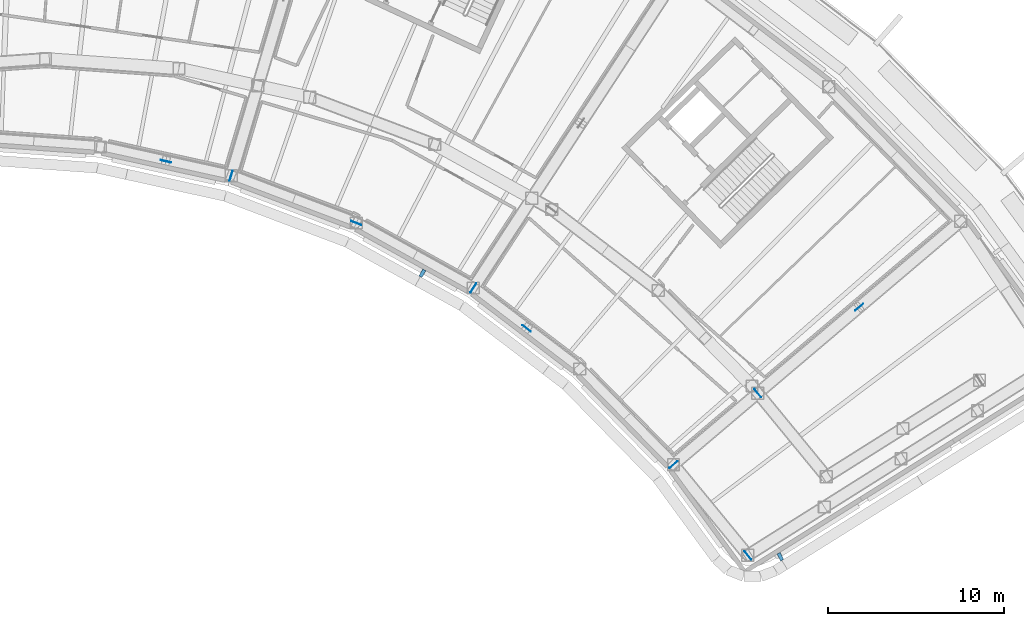
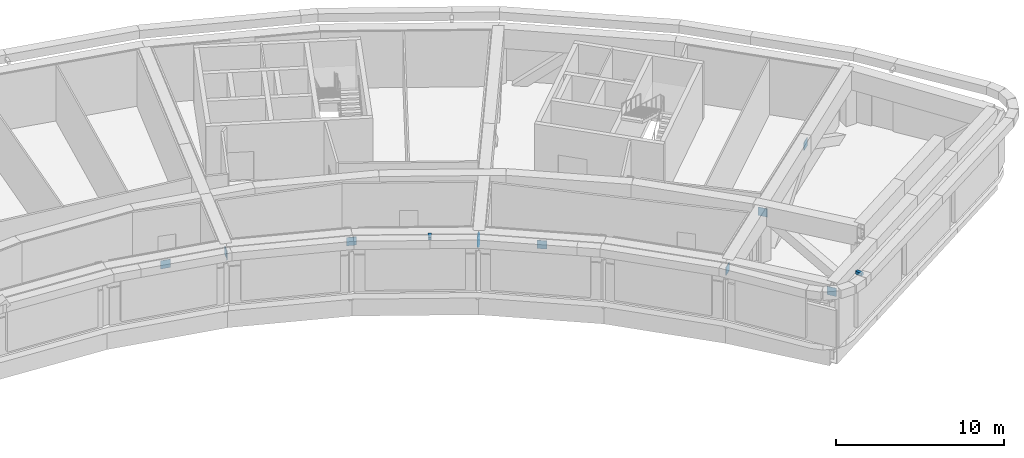
# One storey, part 18 of 25: 11 discrete accessories.
"""IFC4 building model written with IfcOpenShell, lengths in metres."""

import ifcopenshell
import ifcopenshell.guid

model = None  # the IFC model being written
_history = None  # IfcOwnerHistory: only IFC2X3 demands one
_inside = {}  # id of a spatial element -> (the spatial element, [elements in it])
_under = {}  # id of a project, library or spatial element -> (it, [spatial elements below it])
_declared = {}  # id of a project -> (the project, [libraries it declares])
_typed = {}  # id of a type object -> (the type object, [elements of that type])
_made_of = {}  # id of a material, layer set ... -> (it, [elements and type objects made of it])


def new_model(schema):
    """Start an empty IFC model of exactly this schema.

    Asked for "IFC4X3", IfcOpenShell would pick the latest addendum, in which some entities
    have other attributes; the version numbers below select the first issue.
    IFC2X3 requires an IfcOwnerHistory on every rooted entity: one is made here for all.
    """
    global model, _history
    if schema == "IFC4X3":
        model = ifcopenshell.file(schema_version=(4, 3, 0, 0))
    else:
        model = ifcopenshell.file(schema=schema)
    _inside.clear()
    _under.clear()
    _declared.clear()
    _typed.clear()
    _made_of.clear()
    _history = None
    if model.schema == "IFC2X3":
        org = make("IfcOrganization", Name="unknown")
        user = make(
            "IfcPersonAndOrganization",
            ThePerson=make("IfcPerson", FamilyName="unknown"),
            TheOrganization=org,
        )
        app = make(
            "IfcApplication",
            ApplicationDeveloper=org,
            Version="unknown",
            ApplicationFullName="unknown",
            ApplicationIdentifier="unknown",
        )
        _history = make(
            "IfcOwnerHistory",
            OwningUser=user,
            OwningApplication=app,
            ChangeAction="ADDED",
            CreationDate=0,
        )
    return model


def make(cls, **values):
    """One entity of the class cls with the attributes given. An attribute that is None is left unset."""
    return model.create_entity(
        cls, **{name: value for name, value in values.items() if value is not None}
    )


def rooted(cls, **values):
    """An entity with a GlobalId (a new one), such as an element, a storey or a relation."""
    return make(cls, GlobalId=ifcopenshell.guid.new(), OwnerHistory=_history, **values)


def si_unit(unit_type, name, prefix=None):
    """IfcSIUnit, for example si_unit("LENGTHUNIT", "METRE", prefix="MILLI")."""
    return make("IfcSIUnit", UnitType=unit_type, Prefix=prefix, Name=name)


def assignment(units):
    """IfcUnitAssignment: the units of a project."""
    return None if units is None else make("IfcUnitAssignment", Units=units)


def point(xyz):
    """IfcCartesianPoint."""
    return None if xyz is None else make("IfcCartesianPoint", Coordinates=xyz)


def direction(xyz):
    """IfcDirection."""
    return None if xyz is None else make("IfcDirection", DirectionRatios=xyz)


def frame(location, z_axis=None, x_axis=None):
    """IfcAxis2Placement3D, a coordinate frame: its origin and axes. An axis left out is left unset."""
    return make(
        "IfcAxis2Placement3D",
        Location=point(location),
        Axis=direction(z_axis),
        RefDirection=direction(x_axis),
    )


def frame_2d(location, x_axis=None):
    """IfcAxis2Placement2D, a coordinate frame in the plane: its origin and x axis."""
    return make(
        "IfcAxis2Placement2D", Location=point(location), RefDirection=direction(x_axis)
    )


def origin():
    """The frame at (0, 0, 0) with its axes left unset."""
    return frame((0.0, 0.0, 0.0))


def origin_2d():
    """The frame at (0, 0) in the plane with its x axis left unset."""
    return frame_2d((0.0, 0.0))


def place(relative_to, where):
    """IfcLocalPlacement: puts the frame where relative to a parent placement (None: the world)."""
    return make(
        "IfcLocalPlacement", PlacementRelTo=relative_to, RelativePlacement=where
    )


def context(
    kind, dimensions, precision=None, world=None, true_north=None, identifier=None
):
    """IfcGeometricRepresentationContext, for example the 3D "Model" context."""
    return make(
        "IfcGeometricRepresentationContext",
        ContextIdentifier=identifier,
        ContextType=kind,
        CoordinateSpaceDimension=dimensions,
        Precision=precision,
        WorldCoordinateSystem=world,
        TrueNorth=true_north,
    )


def subcontext(parent, identifier, kind, view, scale=None):
    """IfcGeometricRepresentationSubContext, for example "Body" below "Model"."""
    return make(
        "IfcGeometricRepresentationSubContext",
        ContextIdentifier=identifier,
        ContextType=kind,
        ParentContext=parent,
        TargetScale=scale,
        TargetView=view,
    )


def project(units=None, contexts=None):
    """IfcProject with its units and contexts."""
    return rooted(
        "IfcProject",
        Name="project",
        RepresentationContexts=contexts,
        UnitsInContext=assignment(units),
    )


def spatial(cls, under=None, at=None, **own):
    """A site, building, storey or space (cls), placed at a placement, below another one or the project."""
    s = rooted(cls, ObjectPlacement=at, **own)
    if under is not None:
        _under.setdefault(under.id(), (under, []))[1].append(s)
    return s


def profile(cls, at=None, kind="AREA", **sizes):
    """A parametric profile (cls). Its sizes go by their IFC names, for example OverallWidth=200.0."""
    return make(cls, ProfileType=kind, Position=at, **sizes)


def rectangle(**sizes):
    """IfcRectangleProfileDef."""
    return profile("IfcRectangleProfileDef", **sizes)


def extrude(swept, where, along, depth):
    """IfcExtrudedAreaSolid: the profile swept, set in the frame where, extruded along a direction by depth."""
    return make(
        "IfcExtrudedAreaSolid",
        SweptArea=swept,
        Position=where,
        ExtrudedDirection=direction(along),
        Depth=depth,
    )


def shape(context_of_items, identifier, shape_type, items):
    """IfcShapeRepresentation: the items that make up one representation, for example the "Body"."""
    return make(
        "IfcShapeRepresentation",
        ContextOfItems=context_of_items,
        RepresentationIdentifier=identifier,
        RepresentationType=shape_type,
        Items=items,
    )


def material(Name=None, Category=None):
    """IfcMaterial."""
    return make("IfcMaterial", Name=Name, Category=Category)


def made_of(thing, what):
    """Note that an element or type object is made of a material, layer set ...; save() writes the relation."""
    if what is not None:
        _made_of.setdefault(what.id(), (what, []))[1].append(thing)
    return thing


def type_object(cls, material=None, **own):
    """A type object (cls), such as IfcWallType, which elements share."""
    return made_of(rooted(cls, **own), material)


def element(
    cls,
    number,
    at=None,
    inside=None,
    cuts=None,
    type_object=None,
    material=None,
    context=None,
    identifier="Body",
    shape_type=None,
    held_by="IfcProductDefinitionShape",
    body=None,
    shapes=None,
    **own,
):
    """One element of the class cls, such as IfcWall. Its Tag is "e" and its number.

    at: its placement. inside: the storey or other place that contains it. cuts: it is an
    opening in that element (IfcRelVoidsElement). A single representation is given by context,
    identifier, shape_type and body (its items); several are given by shapes. held_by: the class
    of the entity that holds the representations. save() writes the other relations.
    """
    e = rooted(cls, Tag="e%d" % number, ObjectPlacement=at, **own)
    if body is not None:
        shapes = [shape(context, identifier, shape_type, body)]
    if shapes is not None:
        e.Representation = make(held_by, Representations=shapes)
    if inside is not None:
        _inside.setdefault(inside.id(), (inside, []))[1].append(e)
    if cuts is not None:
        rooted(
            "IfcRelVoidsElement", RelatingBuildingElement=cuts, RelatedOpeningElement=e
        )
    if type_object is not None:
        _typed.setdefault(type_object.id(), (type_object, []))[1].append(e)
    return made_of(e, material)


def aggregate(whole, parts):
    """IfcRelAggregates: a whole, such as a stair, and the parts it consists of."""
    return rooted("IfcRelAggregates", RelatingObject=whole, RelatedObjects=parts)


def save(model, path):
    """Write the relations noted so far, then the file.

    IfcRelAggregates (storeys below a building ...), IfcRelContainedInSpatialStructure (elements
    in a storey), IfcRelDefinesByType, IfcRelAssociatesMaterial and IfcRelDeclares: one each for
    every whole, place, type object, material and project.
    """
    for whole, parts in _under.values():
        aggregate(whole, parts)
    for where, things in _inside.values():
        rooted(
            "IfcRelContainedInSpatialStructure",
            RelatedElements=things,
            RelatingStructure=where,
        )
    for kind, things in _typed.values():
        rooted("IfcRelDefinesByType", RelatedObjects=things, RelatingType=kind)
    for what, things in _made_of.values():
        rooted("IfcRelAssociatesMaterial", RelatedObjects=things, RelatingMaterial=what)
    for by, libraries in _declared.values():
        rooted("IfcRelDeclares", RelatingContext=by, RelatedDefinitions=libraries)
    model.write(path)


model = new_model("IFC4")

# Units and contexts
model_context = context("Model", 3, precision=1e-05, world=origin(), true_north=direction((0.0, 1.0)))
body_context = subcontext(model_context, "Body", "Model", "MODEL_VIEW")
ifc_project = project(units=[si_unit("LENGTHUNIT", "METRE"), si_unit("AREAUNIT", "SQUARE_METRE"), si_unit("VOLUMEUNIT", "CUBIC_METRE"), si_unit("PLANEANGLEUNIT", "RADIAN"), si_unit("MASSUNIT", "GRAM", prefix="KILO")], contexts=[model_context])

# Site, building, storey
site_placement = place(None, origin())
site = spatial("IfcSite", under=ifc_project, at=site_placement, CompositionType="ELEMENT")
building_placement = place(site_placement, origin())
building = spatial("IfcBuilding", under=site, at=building_placement, Name="Tuul Gate Civic Tower", CompositionType="ELEMENT")
storey_placement = place(building_placement, frame((0.0, 0.0, 133.699951171875)))
storey = spatial("IfcBuildingStorey", under=building, at=storey_placement, Name="Plant and refuge floor 4", CompositionType="ELEMENT", Elevation=133.699951171875)

# Discrete accessories
ifc_material_1 = material(Name="Steel S355", Category="steel")
discrete_accessory_type_1 = type_object("IfcDiscreteAccessoryType", Name="Gusset plate", PredefinedType="BRACKET", material=ifc_material_1)
for number, where, z_axis, x_axis, name in (
    (1, (55.9921875, -21.76123046875, 3.1025390625), (0.0, 0.0, 1.0), (0.76282474496, 0.646605295738, 0.0), "Gusset plate"),
    (2, (45.45458984375, -30.695556640625, 3.103271484375), (0.0, 0.0, 1.0), (0.76282474496, 0.646605295738, 0.0), "Gusset plate"),
    (3, (20.35791015625, -14.308349609375, 3.103515625), (0.0, 0.0, 1.0), (0.285212112775, 0.958464423297, 0.0), "Gusset plate"),
    (4, (34.101318359375, -20.674560546875, 3.103515625), (0.0, 0.0, 1.0), (0.546710516181, 0.837321689375, 0.0), "Gusset plate"),
    (5, (16.653076171875, -13.489990234375, 3.103759765625), (0.0, 0.0, 1.0), (-0.97656368755, 0.215228632292, 0.0), "Gusset plate"),
    (6, (27.461181640625, -16.99169921875, 3.103759765625), (0.0, 0.0, 1.0), (-0.935367540469, 0.353677203444, 0.0), "Gusset plate"),
    (7, (37.12109375, -22.971435546875, 3.103759765625), (0.0, 0.0, 1.0), (-0.795616135693, 0.605801093284, 0.0), "Gusset plate"),
    (8, (50.2373046875, -26.636962890625, 3.10400390625), (0.0, 0.0, 1.0), (-0.634399544235, 0.773005315813, 0.0), "Gusset plate"),
    (9, (49.6748046875, -35.837646484375, 3.10302734375), (0.0, 0.0, 1.0), (-0.634399544235, 0.773005315813, 0.0), "Gusset plate"),
):
    element("IfcDiscreteAccessory", number, at=place(storey_placement, frame(where, z_axis=z_axis, x_axis=x_axis)), inside=storey, type_object=discrete_accessory_type_1, Name=name, PredefinedType="BRACKET", context=body_context, shape_type="SweptSolid", body=[
        extrude(rectangle(XDim=0.60009765625, YDim=0.030029296875, at=origin_2d()), origin(), (0.0, 0.0, 1.0), 0.60009765625),
    ])
ifc_material_2 = material(Name="Stainless steel", Category="steel")
discrete_accessory_type_2 = type_object("IfcDiscreteAccessoryType", Name="Screen bracket", PredefinedType="BRACKET", material=ifc_material_2)
discrete_accessory_1_placement = place(storey_placement, frame((31.209716796875, -19.841552734375, 4.05029296875), z_axis=(0.0, 0.0, 1.0), x_axis=(-0.499377133005, -0.866384717682, 0.0)))
element("IfcDiscreteAccessory", 10, at=discrete_accessory_1_placement, inside=storey, type_object=discrete_accessory_type_2, Name="Screen bracket 28", PredefinedType="BRACKET", context=body_context, shape_type="SweptSolid", body=[
    extrude(rectangle(XDim=0.4501953125, YDim=0.199951171875, at=origin_2d()), origin(), (0.0, 0.0, 1.0), 0.199951171875),
])
discrete_accessory_2_placement = place(storey_placement, frame((51.519775390625, -35.920166015625, 4.05029296875), z_axis=(0.0, 0.0, 1.0), x_axis=(0.453848979937, -0.891078617974, 0.0)))
element("IfcDiscreteAccessory", 11, at=discrete_accessory_2_placement, inside=storey, type_object=discrete_accessory_type_2, Name="Screen bracket 31", PredefinedType="BRACKET", context=body_context, shape_type="SweptSolid", body=[
    extrude(rectangle(XDim=0.45166015625, YDim=0.199951171875, at=origin_2d()), origin(), (0.0, 0.0, 1.0), 0.199951171875),
])

save(model, "model.ifc")
